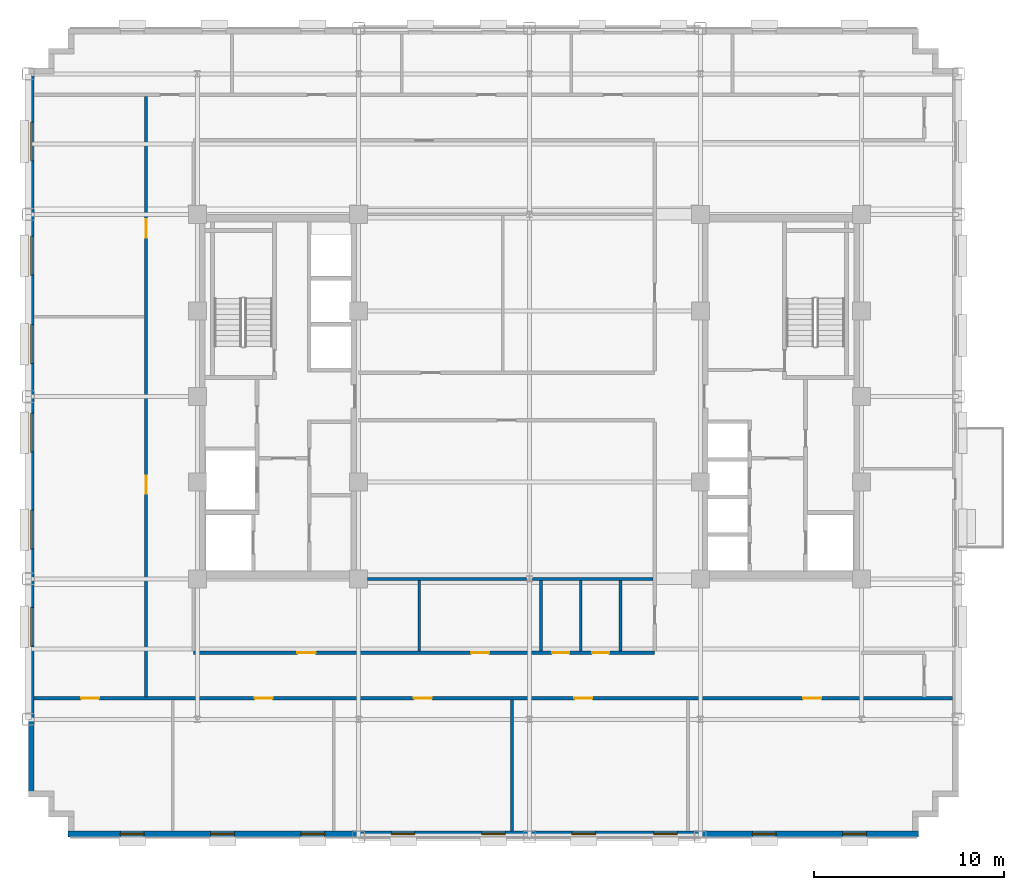
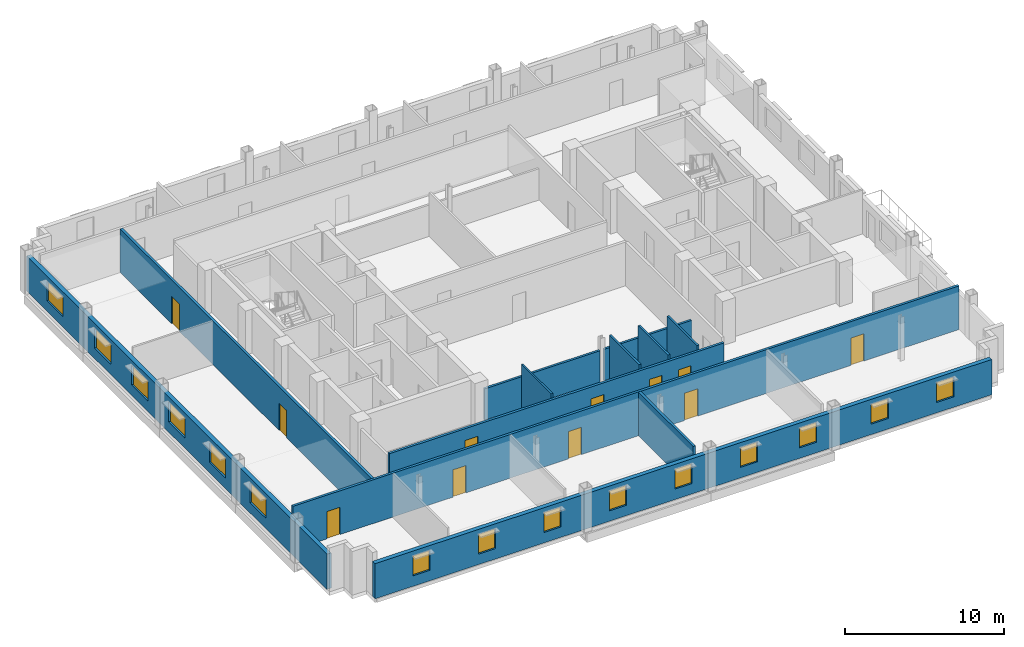
# One storey, part 7 of 14: 15 windows, 12 walls, 11 doors, 26 openings.
"""IFC4 building model written with IfcOpenShell, lengths in metres."""

import ifcopenshell
import ifcopenshell.guid

model = None  # the IFC model being written
_history = None  # IfcOwnerHistory: only IFC2X3 demands one
_inside = {}  # id of a spatial element -> (the spatial element, [elements in it])
_under = {}  # id of a project, library or spatial element -> (it, [spatial elements below it])
_declared = {}  # id of a project -> (the project, [libraries it declares])
_typed = {}  # id of a type object -> (the type object, [elements of that type])
_made_of = {}  # id of a material, layer set ... -> (it, [elements and type objects made of it])


def new_model(schema):
    """Start an empty IFC model of exactly this schema.

    Asked for "IFC4X3", IfcOpenShell would pick the latest addendum, in which some entities
    have other attributes; the version numbers below select the first issue.
    IFC2X3 requires an IfcOwnerHistory on every rooted entity: one is made here for all.
    """
    global model, _history
    if schema == "IFC4X3":
        model = ifcopenshell.file(schema_version=(4, 3, 0, 0))
    else:
        model = ifcopenshell.file(schema=schema)
    _inside.clear()
    _under.clear()
    _declared.clear()
    _typed.clear()
    _made_of.clear()
    _history = None
    if model.schema == "IFC2X3":
        org = make("IfcOrganization", Name="unknown")
        user = make(
            "IfcPersonAndOrganization",
            ThePerson=make("IfcPerson", FamilyName="unknown"),
            TheOrganization=org,
        )
        app = make(
            "IfcApplication",
            ApplicationDeveloper=org,
            Version="unknown",
            ApplicationFullName="unknown",
            ApplicationIdentifier="unknown",
        )
        _history = make(
            "IfcOwnerHistory",
            OwningUser=user,
            OwningApplication=app,
            ChangeAction="ADDED",
            CreationDate=0,
        )
    return model


def make(cls, **values):
    """One entity of the class cls with the attributes given. An attribute that is None is left unset."""
    return model.create_entity(
        cls, **{name: value for name, value in values.items() if value is not None}
    )


def rooted(cls, **values):
    """An entity with a GlobalId (a new one), such as an element, a storey or a relation."""
    return make(cls, GlobalId=ifcopenshell.guid.new(), OwnerHistory=_history, **values)


def si_unit(unit_type, name, prefix=None):
    """IfcSIUnit, for example si_unit("LENGTHUNIT", "METRE", prefix="MILLI")."""
    return make("IfcSIUnit", UnitType=unit_type, Prefix=prefix, Name=name)


def assignment(units):
    """IfcUnitAssignment: the units of a project."""
    return None if units is None else make("IfcUnitAssignment", Units=units)


def point(xyz):
    """IfcCartesianPoint."""
    return None if xyz is None else make("IfcCartesianPoint", Coordinates=xyz)


def direction(xyz):
    """IfcDirection."""
    return None if xyz is None else make("IfcDirection", DirectionRatios=xyz)


def frame(location, z_axis=None, x_axis=None):
    """IfcAxis2Placement3D, a coordinate frame: its origin and axes. An axis left out is left unset."""
    return make(
        "IfcAxis2Placement3D",
        Location=point(location),
        Axis=direction(z_axis),
        RefDirection=direction(x_axis),
    )


def frame_2d(location, x_axis=None):
    """IfcAxis2Placement2D, a coordinate frame in the plane: its origin and x axis."""
    return make(
        "IfcAxis2Placement2D", Location=point(location), RefDirection=direction(x_axis)
    )


def origin():
    """The frame at (0, 0, 0) with its axes left unset."""
    return frame((0.0, 0.0, 0.0))


def place(relative_to, where):
    """IfcLocalPlacement: puts the frame where relative to a parent placement (None: the world)."""
    return make(
        "IfcLocalPlacement", PlacementRelTo=relative_to, RelativePlacement=where
    )


def context(
    kind, dimensions, precision=None, world=None, true_north=None, identifier=None
):
    """IfcGeometricRepresentationContext, for example the 3D "Model" context."""
    return make(
        "IfcGeometricRepresentationContext",
        ContextIdentifier=identifier,
        ContextType=kind,
        CoordinateSpaceDimension=dimensions,
        Precision=precision,
        WorldCoordinateSystem=world,
        TrueNorth=true_north,
    )


def subcontext(parent, identifier, kind, view, scale=None):
    """IfcGeometricRepresentationSubContext, for example "Body" below "Model"."""
    return make(
        "IfcGeometricRepresentationSubContext",
        ContextIdentifier=identifier,
        ContextType=kind,
        ParentContext=parent,
        TargetScale=scale,
        TargetView=view,
    )


def project(units=None, contexts=None):
    """IfcProject with its units and contexts."""
    return rooted(
        "IfcProject",
        Name="project",
        RepresentationContexts=contexts,
        UnitsInContext=assignment(units),
    )


def spatial(cls, under=None, at=None, **own):
    """A site, building, storey or space (cls), placed at a placement, below another one or the project."""
    s = rooted(cls, ObjectPlacement=at, **own)
    if under is not None:
        _under.setdefault(under.id(), (under, []))[1].append(s)
    return s


def profile(cls, at=None, kind="AREA", **sizes):
    """A parametric profile (cls). Its sizes go by their IFC names, for example OverallWidth=200.0."""
    return make(cls, ProfileType=kind, Position=at, **sizes)


def rectangle(**sizes):
    """IfcRectangleProfileDef."""
    return profile("IfcRectangleProfileDef", **sizes)


def extrude(swept, where, along, depth):
    """IfcExtrudedAreaSolid: the profile swept, set in the frame where, extruded along a direction by depth."""
    return make(
        "IfcExtrudedAreaSolid",
        SweptArea=swept,
        Position=where,
        ExtrudedDirection=direction(along),
        Depth=depth,
    )


def shape(context_of_items, identifier, shape_type, items):
    """IfcShapeRepresentation: the items that make up one representation, for example the "Body"."""
    return make(
        "IfcShapeRepresentation",
        ContextOfItems=context_of_items,
        RepresentationIdentifier=identifier,
        RepresentationType=shape_type,
        Items=items,
    )


def source(mapping_origin, context_of_items, identifier, shape_type, items):
    """IfcRepresentationMap: a shape defined once, which mapped items show again and again."""
    return make(
        "IfcRepresentationMap",
        MappingOrigin=mapping_origin,
        MappedRepresentation=shape(context_of_items, identifier, shape_type, items),
    )


def transform(
    local_origin,
    x_axis=None,
    y_axis=None,
    z_axis=None,
    scale=None,
    scale2=None,
    scale3=None,
    uniform=True,
):
    """IfcCartesianTransformationOperator3D, or its non-uniform kind. x_axis, y_axis, z_axis: its Axis1, 2, 3."""
    if uniform:
        return make(
            "IfcCartesianTransformationOperator3D",
            Axis1=direction(x_axis),
            Axis2=direction(y_axis),
            LocalOrigin=point(local_origin),
            Scale=scale,
            Axis3=direction(z_axis),
        )
    return make(
        "IfcCartesianTransformationOperator3DnonUniform",
        Axis1=direction(x_axis),
        Axis2=direction(y_axis),
        LocalOrigin=point(local_origin),
        Scale=scale,
        Axis3=direction(z_axis),
        Scale2=scale2,
        Scale3=scale3,
    )


def mapped(mapping_source, mapping_target):
    """IfcMappedItem: shows the shape of a source again, moved by a transform."""
    return make(
        "IfcMappedItem", MappingSource=mapping_source, MappingTarget=mapping_target
    )


def material(Name=None, Category=None):
    """IfcMaterial."""
    return make("IfcMaterial", Name=Name, Category=Category)


def layer(
    of_material, thickness, ventilated=None, Name=None, Category=None, Priority=None
):
    """IfcMaterialLayer: one layer of a wall or slab, of a material (None: an air gap)."""
    return make(
        "IfcMaterialLayer",
        Material=of_material,
        LayerThickness=thickness,
        IsVentilated=ventilated,
        Name=Name,
        Category=Category,
        Priority=Priority,
    )


def layer_set(layers, Name=None):
    """IfcMaterialLayerSet."""
    return make("IfcMaterialLayerSet", MaterialLayers=layers, LayerSetName=Name)


def made_of(thing, what):
    """Note that an element or type object is made of a material, layer set ...; save() writes the relation."""
    if what is not None:
        _made_of.setdefault(what.id(), (what, []))[1].append(thing)
    return thing


def type_object(cls, material=None, **own):
    """A type object (cls), such as IfcWallType, which elements share."""
    return made_of(rooted(cls, **own), material)


def type_shapes(of_type, sources):
    """Give a type object the sources (RepresentationMaps) that its elements show as mapped items."""
    of_type.RepresentationMaps = sources


def element(
    cls,
    number,
    at=None,
    inside=None,
    cuts=None,
    type_object=None,
    material=None,
    context=None,
    identifier="Body",
    shape_type=None,
    held_by="IfcProductDefinitionShape",
    body=None,
    shapes=None,
    **own,
):
    """One element of the class cls, such as IfcWall. Its Tag is "e" and its number.

    at: its placement. inside: the storey or other place that contains it. cuts: it is an
    opening in that element (IfcRelVoidsElement). A single representation is given by context,
    identifier, shape_type and body (its items); several are given by shapes. held_by: the class
    of the entity that holds the representations. save() writes the other relations.
    """
    e = rooted(cls, Tag="e%d" % number, ObjectPlacement=at, **own)
    if body is not None:
        shapes = [shape(context, identifier, shape_type, body)]
    if shapes is not None:
        e.Representation = make(held_by, Representations=shapes)
    if inside is not None:
        _inside.setdefault(inside.id(), (inside, []))[1].append(e)
    if cuts is not None:
        rooted(
            "IfcRelVoidsElement", RelatingBuildingElement=cuts, RelatedOpeningElement=e
        )
    if type_object is not None:
        _typed.setdefault(type_object.id(), (type_object, []))[1].append(e)
    return made_of(e, material)


def fill(opening, filler):
    """IfcRelFillsElement: the door or window that sits in an opening."""
    return rooted(
        "IfcRelFillsElement",
        RelatingOpeningElement=opening,
        RelatedBuildingElement=filler,
    )


def aggregate(whole, parts):
    """IfcRelAggregates: a whole, such as a stair, and the parts it consists of."""
    return rooted("IfcRelAggregates", RelatingObject=whole, RelatedObjects=parts)


def save(model, path):
    """Write the relations noted so far, then the file.

    IfcRelAggregates (storeys below a building ...), IfcRelContainedInSpatialStructure (elements
    in a storey), IfcRelDefinesByType, IfcRelAssociatesMaterial and IfcRelDeclares: one each for
    every whole, place, type object, material and project.
    """
    for whole, parts in _under.values():
        aggregate(whole, parts)
    for where, things in _inside.values():
        rooted(
            "IfcRelContainedInSpatialStructure",
            RelatedElements=things,
            RelatingStructure=where,
        )
    for kind, things in _typed.values():
        rooted("IfcRelDefinesByType", RelatedObjects=things, RelatingType=kind)
    for what, things in _made_of.values():
        rooted("IfcRelAssociatesMaterial", RelatedObjects=things, RelatingMaterial=what)
    for by, libraries in _declared.values():
        rooted("IfcRelDeclares", RelatingContext=by, RelatedDefinitions=libraries)
    model.write(path)


model = new_model("IFC4")

# Units and contexts
model_context = context("Model", 3, precision=1e-05, world=origin(), true_north=direction((0.0, 1.0)))
body_context = subcontext(model_context, "Body", "Model", "MODEL_VIEW")
ifc_project = project(units=[si_unit("LENGTHUNIT", "METRE"), si_unit("AREAUNIT", "SQUARE_METRE"), si_unit("VOLUMEUNIT", "CUBIC_METRE"), si_unit("PLANEANGLEUNIT", "RADIAN"), si_unit("MASSUNIT", "GRAM", prefix="KILO")], contexts=[model_context])

# Site, building, storey
site_placement = place(None, origin())
site = spatial("IfcSite", under=ifc_project, at=site_placement, CompositionType="ELEMENT")
building_placement = place(site_placement, origin())
building = spatial("IfcBuilding", under=site, at=building_placement, Name="Nuvemarco Arch Tower", CompositionType="ELEMENT")
storey_placement = place(building_placement, frame((0.0, 0.0, 178.60009765625)))
storey = spatial("IfcBuildingStorey", under=building, at=storey_placement, Name="L47", CompositionType="ELEMENT", Elevation=178.60009765625)

# Wall, openings, windows
ifc_material_1 = material(Name="Precast concrete C45/55", Category="concrete")
ifc_layer_1 = layer(ifc_material_1, 0.31005859375, Name="EW-UPP-310")
ifc_layer_set_1 = layer_set([ifc_layer_1], Name="Precast concrete C45/55")
wall_type_1 = type_object("IfcWallType", Name="EW-UPP-310", PredefinedType="STANDARD", material=ifc_layer_set_1)
wall_1_placement = place(storey_placement, frame((-24.300048828125, -23.044921875, 0.0), z_axis=(0.0, 0.0, 1.0), x_axis=(1.0, 0.0, 0.0)))
wall_1 = element("IfcWall", 1, at=wall_1_placement, inside=storey, type_object=wall_type_1, Name="L47 exterior precast facade wall 1", PredefinedType="STANDARD", context=body_context, shape_type="SweptSolid", body=[
    extrude(rectangle(XDim=44.800048828125, YDim=0.31005859375, at=frame_2d((22.39990234375, 0.0))), origin(), (0.0, 0.0, 1.0), 2.704833984375),
])
opening_1_placement = place(wall_1_placement, frame((2.752685546875, 0.0, 0.800048828125)))
opening_1 = element("IfcOpeningElement", 2, at=opening_1_placement, cuts=wall_1, Name="Opening WN-13", PredefinedType="OPENING", context=body_context, shape_type="SweptSolid", body=[
    extrude(rectangle(XDim=1.25, YDim=1.52001953125, at=frame_2d((0.625, 0.760009765625))), frame((0.0, 0.1650390625, 0.0), z_axis=(0.0, -1.0, 0.0), x_axis=(1.0, 0.0, 0.0)), (0.0, 0.0, 1.0), 0.330078125),
])
opening_2_placement = place(wall_1_placement, frame((7.50830078125, 0.0, 0.800048828125)))
opening_2 = element("IfcOpeningElement", 3, at=opening_2_placement, cuts=wall_1, Name="Opening WN-13", PredefinedType="OPENING", context=body_context, shape_type="SweptSolid", body=[
    extrude(rectangle(XDim=1.25, YDim=1.52001953125, at=frame_2d((0.625, 0.760009765625))), frame((0.0, 0.1650390625, 0.0), z_axis=(0.0, -1.0, 0.0), x_axis=(1.0, 0.0, 0.0)), (0.0, 0.0, 1.0), 0.330078125),
])
opening_3_placement = place(wall_1_placement, frame((12.263916015625, 0.0, 0.800048828125)))
opening_3 = element("IfcOpeningElement", 4, at=opening_3_placement, cuts=wall_1, Name="Opening WN-13", PredefinedType="OPENING", context=body_context, shape_type="SweptSolid", body=[
    extrude(rectangle(XDim=1.25, YDim=1.52001953125, at=frame_2d((0.625, 0.760009765625))), frame((0.0, 0.1650390625, 0.0), z_axis=(0.0, -1.0, 0.0), x_axis=(1.0, 0.0, 0.0)), (0.0, 0.0, 1.0), 0.330078125),
])
opening_4_placement = place(wall_1_placement, frame((17.019287109375, 0.0, 0.800048828125)))
opening_4 = element("IfcOpeningElement", 5, at=opening_4_placement, cuts=wall_1, Name="Opening WN-13", PredefinedType="OPENING", context=body_context, shape_type="SweptSolid", body=[
    extrude(rectangle(XDim=1.25, YDim=1.52001953125, at=frame_2d((0.625, 0.760009765625))), frame((0.0, 0.1650390625, 0.0), z_axis=(0.0, -1.0, 0.0), x_axis=(1.0, 0.0, 0.0)), (0.0, 0.0, 1.0), 0.330078125),
])
opening_5_placement = place(wall_1_placement, frame((21.77490234375, 0.0, 0.800048828125)))
opening_5 = element("IfcOpeningElement", 6, at=opening_5_placement, cuts=wall_1, Name="Opening WN-13", PredefinedType="OPENING", context=body_context, shape_type="SweptSolid", body=[
    extrude(rectangle(XDim=1.25, YDim=1.52001953125, at=frame_2d((0.625, 0.760009765625))), frame((0.0, 0.1650390625, 0.0), z_axis=(0.0, -1.0, 0.0), x_axis=(1.0, 0.0, 0.0)), (0.0, 0.0, 1.0), 0.330078125),
])
opening_6_placement = place(wall_1_placement, frame((26.530517578125, 0.0, 0.800048828125)))
opening_6 = element("IfcOpeningElement", 7, at=opening_6_placement, cuts=wall_1, Name="Opening WN-13", PredefinedType="OPENING", context=body_context, shape_type="SweptSolid", body=[
    extrude(rectangle(XDim=1.25, YDim=1.52001953125, at=frame_2d((0.625, 0.760009765625))), frame((0.0, 0.1650390625, 0.0), z_axis=(0.0, -1.0, 0.0), x_axis=(1.0, 0.0, 0.0)), (0.0, 0.0, 1.0), 0.330078125),
])
opening_7_placement = place(wall_1_placement, frame((30.836181640625, 0.0, 0.800048828125)))
opening_7 = element("IfcOpeningElement", 8, at=opening_7_placement, cuts=wall_1, Name="Opening WN-13", PredefinedType="OPENING", context=body_context, shape_type="SweptSolid", body=[
    extrude(rectangle(XDim=1.25, YDim=1.52001953125, at=frame_2d((0.625, 0.760009765625))), frame((0.0, 0.1650390625, 0.0), z_axis=(0.0, -1.0, 0.0), x_axis=(1.0, 0.0, 0.0)), (0.0, 0.0, 1.0), 0.330078125),
])
opening_8_placement = place(wall_1_placement, frame((36.041748046875, 0.0, 0.800048828125)))
opening_8 = element("IfcOpeningElement", 9, at=opening_8_placement, cuts=wall_1, Name="Opening WN-13", PredefinedType="OPENING", context=body_context, shape_type="SweptSolid", body=[
    extrude(rectangle(XDim=1.25, YDim=1.52001953125, at=frame_2d((0.625, 0.760009765625))), frame((0.0, 0.1650390625, 0.0), z_axis=(0.0, -1.0, 0.0), x_axis=(1.0, 0.0, 0.0)), (0.0, 0.0, 1.0), 0.330078125),
])
opening_9_placement = place(wall_1_placement, frame((40.797119140625, 0.0, 0.800048828125)))
opening_9 = element("IfcOpeningElement", 10, at=opening_9_placement, cuts=wall_1, Name="Opening WN-13", PredefinedType="OPENING", context=body_context, shape_type="SweptSolid", body=[
    extrude(rectangle(XDim=1.25, YDim=1.52001953125, at=frame_2d((0.625, 0.760009765625))), frame((0.0, 0.1650390625, 0.0), z_axis=(0.0, -1.0, 0.0), x_axis=(1.0, 0.0, 0.0)), (0.0, 0.0, 1.0), 0.330078125),
])
ifc_material_2 = material(Name="Insulated solar-control glass", Category="glass")
window_type_1 = type_object("IfcWindowType", Name="WN-SET-1250x1520", PartitioningType="SINGLE_PANEL", PredefinedType="WINDOW", material=ifc_material_2)
shared_shape_1 = source(origin(), body_context, "Body", "SweptSolid", [
    extrude(rectangle(XDim=1.25, YDim=1.52001953125, at=frame_2d((0.625, 0.760009765625))), frame((0.0, 0.030029296875, 0.0), z_axis=(0.0, -1.0, 0.0), x_axis=(1.0, 0.0, 0.0)), (0.0, 0.0, 1.0), 0.06005859375),
])
type_shapes(window_type_1, [shared_shape_1])
window_1_placement = place(opening_1_placement, origin())
window_1 = element("IfcWindow", 11, at=window_1_placement, inside=storey, type_object=window_type_1, Name="L47 punched facade window 1", OverallHeight=1.52001953125, OverallWidth=1.25, PartitioningType="SINGLE_PANEL", PredefinedType="WINDOW", context=body_context, shape_type="MappedRepresentation", body=[
    mapped(shared_shape_1, transform((0.0, 0.0, 0.0), scale=1.0)),
])
fill(opening_1, window_1)
window_2_placement = place(opening_2_placement, origin())
window_2 = element("IfcWindow", 12, at=window_2_placement, inside=storey, type_object=window_type_1, Name="L47 punched facade window 2", OverallHeight=1.52001953125, OverallWidth=1.25, PartitioningType="SINGLE_PANEL", PredefinedType="WINDOW", context=body_context, shape_type="MappedRepresentation", body=[
    mapped(shared_shape_1, transform((0.0, 0.0, 0.0), scale=1.0)),
])
fill(opening_2, window_2)
window_3_placement = place(opening_3_placement, origin())
window_3 = element("IfcWindow", 13, at=window_3_placement, inside=storey, type_object=window_type_1, Name="L47 punched facade window 3", OverallHeight=1.52001953125, OverallWidth=1.25, PartitioningType="SINGLE_PANEL", PredefinedType="WINDOW", context=body_context, shape_type="MappedRepresentation", body=[
    mapped(shared_shape_1, transform((0.0, 0.0, 0.0), scale=1.0)),
])
fill(opening_3, window_3)
window_4_placement = place(opening_4_placement, origin())
window_4 = element("IfcWindow", 14, at=window_4_placement, inside=storey, type_object=window_type_1, Name="L47 punched facade window 4", OverallHeight=1.52001953125, OverallWidth=1.25, PartitioningType="SINGLE_PANEL", PredefinedType="WINDOW", context=body_context, shape_type="MappedRepresentation", body=[
    mapped(shared_shape_1, transform((0.0, 0.0, 0.0), scale=1.0)),
])
fill(opening_4, window_4)
window_5_placement = place(opening_5_placement, origin())
window_5 = element("IfcWindow", 15, at=window_5_placement, inside=storey, type_object=window_type_1, Name="L47 punched facade window 5", OverallHeight=1.52001953125, OverallWidth=1.25, PartitioningType="SINGLE_PANEL", PredefinedType="WINDOW", context=body_context, shape_type="MappedRepresentation", body=[
    mapped(shared_shape_1, transform((0.0, 0.0, 0.0), scale=1.0)),
])
fill(opening_5, window_5)
window_6_placement = place(opening_6_placement, origin())
window_6 = element("IfcWindow", 16, at=window_6_placement, inside=storey, type_object=window_type_1, Name="L47 punched facade window 6", OverallHeight=1.52001953125, OverallWidth=1.25, PartitioningType="SINGLE_PANEL", PredefinedType="WINDOW", context=body_context, shape_type="MappedRepresentation", body=[
    mapped(shared_shape_1, transform((0.0, 0.0, 0.0), scale=1.0)),
])
fill(opening_6, window_6)
window_7_placement = place(opening_7_placement, origin())
window_7 = element("IfcWindow", 17, at=window_7_placement, inside=storey, type_object=window_type_1, Name="L47 punched facade window 7", OverallHeight=1.52001953125, OverallWidth=1.25, PartitioningType="SINGLE_PANEL", PredefinedType="WINDOW", context=body_context, shape_type="MappedRepresentation", body=[
    mapped(shared_shape_1, transform((0.0, 0.0, 0.0), scale=1.0)),
])
fill(opening_7, window_7)
window_8_placement = place(opening_8_placement, origin())
window_8 = element("IfcWindow", 18, at=window_8_placement, inside=storey, type_object=window_type_1, Name="L47 punched facade window 8", OverallHeight=1.52001953125, OverallWidth=1.25, PartitioningType="SINGLE_PANEL", PredefinedType="WINDOW", context=body_context, shape_type="MappedRepresentation", body=[
    mapped(shared_shape_1, transform((0.0, 0.0, 0.0), scale=1.0)),
])
fill(opening_8, window_8)
window_9_placement = place(opening_9_placement, origin())
window_9 = element("IfcWindow", 19, at=window_9_placement, inside=storey, type_object=window_type_1, Name="L47 punched facade window 9", OverallHeight=1.52001953125, OverallWidth=1.25, PartitioningType="SINGLE_PANEL", PredefinedType="WINDOW", context=body_context, shape_type="MappedRepresentation", body=[
    mapped(shared_shape_1, transform((0.0, 0.0, 0.0), scale=1.0)),
])
fill(opening_9, window_9)

wall_2_placement = place(storey_placement, frame((-26.2451171875, -20.7939453125, 0.0), z_axis=(0.0, 0.0, 1.0), x_axis=(0.0, 1.0, 0.0)))
wall_2 = element("IfcWall", 20, at=wall_2_placement, inside=storey, type_object=wall_type_1, Name="L47 exterior precast facade wall 16", PredefinedType="STANDARD", context=body_context, shape_type="SweptSolid", body=[
    extrude(rectangle(XDim=37.787841796875, YDim=0.31005859375, at=frame_2d((18.89404296875, 0.0))), origin(), (0.0, 0.0, 1.0), 2.704833984375),
])
opening_10_placement = place(wall_2_placement, frame((7.643798828125, 0.0, 0.800048828125)))
opening_10 = element("IfcOpeningElement", 21, at=opening_10_placement, cuts=wall_2, Name="Opening WN-12", PredefinedType="OPENING", context=body_context, shape_type="SweptSolid", body=[
    extrude(rectangle(XDim=2.050048828125, YDim=1.52001953125, at=frame_2d((1.02490234375, 0.760009765625))), frame((0.0, 0.1650390625, 0.0), z_axis=(0.0, -1.0, 0.0), x_axis=(1.0, 0.0, 0.0)), (0.0, 0.0, 1.0), 0.330078125),
])
opening_11_placement = place(wall_2_placement, frame((12.75634765625, 0.0, 0.800048828125)))
opening_11 = element("IfcOpeningElement", 22, at=opening_11_placement, cuts=wall_2, Name="Opening WN-12", PredefinedType="OPENING", context=body_context, shape_type="SweptSolid", body=[
    extrude(rectangle(XDim=2.050048828125, YDim=1.52001953125, at=frame_2d((1.02490234375, 0.760009765625))), frame((0.0, 0.1650390625, 0.0), z_axis=(0.0, -1.0, 0.0), x_axis=(1.0, 0.0, 0.0)), (0.0, 0.0, 1.0), 0.330078125),
])
opening_12_placement = place(wall_2_placement, frame((17.868896484375, 0.0, 0.800048828125)))
opening_12 = element("IfcOpeningElement", 23, at=opening_12_placement, cuts=wall_2, Name="Opening WN-12", PredefinedType="OPENING", context=body_context, shape_type="SweptSolid", body=[
    extrude(rectangle(XDim=2.050048828125, YDim=1.52001953125, at=frame_2d((1.02490234375, 0.760009765625))), frame((0.0, 0.1650390625, 0.0), z_axis=(0.0, -1.0, 0.0), x_axis=(1.0, 0.0, 0.0)), (0.0, 0.0, 1.0), 0.330078125),
])
opening_13_placement = place(wall_2_placement, frame((22.531494140625, 0.0, 0.800048828125)))
opening_13 = element("IfcOpeningElement", 24, at=opening_13_placement, cuts=wall_2, Name="Opening WN-12", PredefinedType="OPENING", context=body_context, shape_type="SweptSolid", body=[
    extrude(rectangle(XDim=2.050048828125, YDim=1.52001953125, at=frame_2d((1.02490234375, 0.760009765625))), frame((0.0, 0.1650390625, 0.0), z_axis=(0.0, -1.0, 0.0), x_axis=(1.0, 0.0, 0.0)), (0.0, 0.0, 1.0), 0.330078125),
])
opening_14_placement = place(wall_2_placement, frame((27.194091796875, 0.0, 0.800048828125)))
opening_14 = element("IfcOpeningElement", 25, at=opening_14_placement, cuts=wall_2, Name="Opening WN-12", PredefinedType="OPENING", context=body_context, shape_type="SweptSolid", body=[
    extrude(rectangle(XDim=2.050048828125, YDim=1.52001953125, at=frame_2d((1.02490234375, 0.760009765625))), frame((0.0, 0.1650390625, 0.0), z_axis=(0.0, -1.0, 0.0), x_axis=(1.0, 0.0, 0.0)), (0.0, 0.0, 1.0), 0.330078125),
])
opening_15_placement = place(wall_2_placement, frame((33.206787109375, 0.0, 0.800048828125)))
opening_15 = element("IfcOpeningElement", 26, at=opening_15_placement, cuts=wall_2, Name="Opening WN-12", PredefinedType="OPENING", context=body_context, shape_type="SweptSolid", body=[
    extrude(rectangle(XDim=2.050048828125, YDim=1.52001953125, at=frame_2d((1.02490234375, 0.760009765625))), frame((0.0, 0.1650390625, 0.0), z_axis=(0.0, -1.0, 0.0), x_axis=(1.0, 0.0, 0.0)), (0.0, 0.0, 1.0), 0.330078125),
])
window_type_2 = type_object("IfcWindowType", Name="WN-SET-2050x1520", PartitioningType="DOUBLE_PANEL_VERTICAL", PredefinedType="WINDOW", material=ifc_material_2)
shared_shape_2 = source(origin(), body_context, "Body", "SweptSolid", [
    extrude(rectangle(XDim=2.050048828125, YDim=1.52001953125, at=frame_2d((1.02490234375, 0.760009765625))), frame((0.0, 0.030029296875, 0.0), z_axis=(0.0, -1.0, 0.0), x_axis=(1.0, 0.0, 0.0)), (0.0, 0.0, 1.0), 0.06005859375),
])
type_shapes(window_type_2, [shared_shape_2])
window_10_placement = place(opening_10_placement, origin())
window_10 = element("IfcWindow", 27, at=window_10_placement, inside=storey, type_object=window_type_2, Name="L47 punched facade window 2", OverallHeight=1.52001953125, OverallWidth=2.050048828125, PartitioningType="SINGLE_PANEL", PredefinedType="WINDOW", context=body_context, shape_type="MappedRepresentation", body=[
    mapped(shared_shape_2, transform((0.0, 0.0, 0.0), scale=1.0)),
])
fill(opening_10, window_10)
window_11_placement = place(opening_11_placement, origin())
window_11 = element("IfcWindow", 28, at=window_11_placement, inside=storey, type_object=window_type_2, Name="L47 punched facade window 3", OverallHeight=1.52001953125, OverallWidth=2.050048828125, PartitioningType="SINGLE_PANEL", PredefinedType="WINDOW", context=body_context, shape_type="MappedRepresentation", body=[
    mapped(shared_shape_2, transform((0.0, 0.0, 0.0), scale=1.0)),
])
fill(opening_11, window_11)
window_12_placement = place(opening_12_placement, origin())
window_12 = element("IfcWindow", 29, at=window_12_placement, inside=storey, type_object=window_type_2, Name="L47 punched facade window 4", OverallHeight=1.52001953125, OverallWidth=2.050048828125, PartitioningType="SINGLE_PANEL", PredefinedType="WINDOW", context=body_context, shape_type="MappedRepresentation", body=[
    mapped(shared_shape_2, transform((0.0, 0.0, 0.0), scale=1.0)),
])
fill(opening_12, window_12)
window_13_placement = place(opening_13_placement, origin())
window_13 = element("IfcWindow", 30, at=window_13_placement, inside=storey, type_object=window_type_2, Name="L47 punched facade window 5", OverallHeight=1.52001953125, OverallWidth=2.050048828125, PartitioningType="SINGLE_PANEL", PredefinedType="WINDOW", context=body_context, shape_type="MappedRepresentation", body=[
    mapped(shared_shape_2, transform((0.0, 0.0, 0.0), scale=1.0)),
])
fill(opening_13, window_13)
window_14_placement = place(opening_14_placement, origin())
window_14 = element("IfcWindow", 31, at=window_14_placement, inside=storey, type_object=window_type_2, Name="L47 punched facade window 6", OverallHeight=1.52001953125, OverallWidth=2.050048828125, PartitioningType="SINGLE_PANEL", PredefinedType="WINDOW", context=body_context, shape_type="MappedRepresentation", body=[
    mapped(shared_shape_2, transform((0.0, 0.0, 0.0), scale=1.0)),
])
fill(opening_14, window_14)
window_15_placement = place(opening_15_placement, origin())
window_15 = element("IfcWindow", 32, at=window_15_placement, inside=storey, type_object=window_type_2, Name="L47 punched facade window 7", OverallHeight=1.52001953125, OverallWidth=2.050048828125, PartitioningType="SINGLE_PANEL", PredefinedType="WINDOW", context=body_context, shape_type="MappedRepresentation", body=[
    mapped(shared_shape_2, transform((0.0, 0.0, 0.0), scale=1.0)),
])
fill(opening_15, window_15)

# Wall, openings, doors
ifc_material_3 = material(Name="Fire-rated gypsum drywall partition")
ifc_layer_2 = layer(ifc_material_3, 0.179931640625, Name="WL-CORR-180")
ifc_layer_set_2 = layer_set([ifc_layer_2], Name="Fire-rated gypsum drywall partition")
wall_type_2 = type_object("IfcWallType", Name="WL-CORR-180", PredefinedType="PARTITIONING", material=ifc_layer_set_2)
wall_3_placement = place(storey_placement, frame((-26.090087890625, -15.89990234375, 0.0), z_axis=(0.0, 0.0, 1.0), x_axis=(1.0, 0.0, 0.0)))
wall_3 = element("IfcWall", 33, at=wall_3_placement, inside=storey, type_object=wall_type_2, Name="L47 interior wall IW-L47-001", PredefinedType="PARTITIONING", context=body_context, shape_type="SweptSolid", body=[
    extrude(rectangle(XDim=48.380126953125, YDim=0.179931640625, at=frame_2d((24.18994140625, 0.0))), origin(), (0.0, 0.0, 1.0), 3.35986328125),
])
opening_16_placement = place(wall_3_placement, frame((40.510009765625, 0.0, 0.0)))
opening_16 = element("IfcOpeningElement", 34, at=opening_16_placement, cuts=wall_3, Name="Opening FD-5", PredefinedType="OPENING", context=body_context, shape_type="SweptSolid", body=[
    extrude(rectangle(XDim=0.9599609375, YDim=2.10009765625, at=frame_2d((0.47998046875, 1.050048828125))), frame((0.0, 0.099853515625, 0.0), z_axis=(0.0, -1.0, 0.0), x_axis=(1.0, 0.0, 0.0)), (0.0, 0.0, 1.0), 0.199951171875),
])
opening_17_placement = place(wall_3_placement, frame((19.9951171875, 0.0, 0.0)))
opening_17 = element("IfcOpeningElement", 35, at=opening_17_placement, cuts=wall_3, Name="Opening FD-5", PredefinedType="OPENING", context=body_context, shape_type="SweptSolid", body=[
    extrude(rectangle(XDim=0.9599609375, YDim=2.10009765625, at=frame_2d((0.47998046875, 1.050048828125))), frame((0.0, 0.099853515625, 0.0), z_axis=(0.0, -1.0, 0.0), x_axis=(1.0, 0.0, 0.0)), (0.0, 0.0, 1.0), 0.199951171875),
])
opening_18_placement = place(wall_3_placement, frame((28.449951171875, 0.0, 0.0)))
opening_18 = element("IfcOpeningElement", 36, at=opening_18_placement, cuts=wall_3, Name="Opening FD-5", PredefinedType="OPENING", context=body_context, shape_type="SweptSolid", body=[
    extrude(rectangle(XDim=0.9599609375, YDim=2.10009765625, at=frame_2d((0.47998046875, 1.050048828125))), frame((0.0, 0.099853515625, 0.0), z_axis=(0.0, -1.0, 0.0), x_axis=(1.0, 0.0, 0.0)), (0.0, 0.0, 1.0), 0.199951171875),
])
opening_19_placement = place(wall_3_placement, frame((11.60498046875, 0.0, 0.0)))
opening_19 = element("IfcOpeningElement", 37, at=opening_19_placement, cuts=wall_3, Name="Opening FD-5", PredefinedType="OPENING", context=body_context, shape_type="SweptSolid", body=[
    extrude(rectangle(XDim=0.9599609375, YDim=2.10009765625, at=frame_2d((0.47998046875, 1.050048828125))), frame((0.0, 0.099853515625, 0.0), z_axis=(0.0, -1.0, 0.0), x_axis=(1.0, 0.0, 0.0)), (0.0, 0.0, 1.0), 0.199951171875),
])
opening_20_placement = place(wall_3_placement, frame((2.465087890625, 0.0, 0.0)))
opening_20 = element("IfcOpeningElement", 38, at=opening_20_placement, cuts=wall_3, Name="Opening FD-5", PredefinedType="OPENING", context=body_context, shape_type="SweptSolid", body=[
    extrude(rectangle(XDim=0.9599609375, YDim=2.10009765625, at=frame_2d((0.47998046875, 1.050048828125))), frame((0.0, 0.099853515625, 0.0), z_axis=(0.0, -1.0, 0.0), x_axis=(1.0, 0.0, 0.0)), (0.0, 0.0, 1.0), 0.199951171875),
])
ifc_material_4 = material(Name="Timber fire door", Category="wood")
door_type_1 = type_object("IfcDoorType", Name="DR-CORR-FD", OperationType="NOTDEFINED", PredefinedType="DOOR", material=ifc_material_4)
shared_shape_3 = source(origin(), body_context, "Body", "SweptSolid", [
    extrude(rectangle(XDim=0.9599609375, YDim=2.10009765625, at=frame_2d((0.47998046875, 1.050048828125))), frame((0.0, 0.02490234375, 0.0), z_axis=(0.0, -1.0, 0.0), x_axis=(1.0, 0.0, 0.0)), (0.0, 0.0, 1.0), 0.050048828125),
])
type_shapes(door_type_1, [shared_shape_3])
door_1_placement = place(opening_16_placement, origin())
door_1 = element("IfcDoor", 39, at=door_1_placement, inside=storey, type_object=door_type_1, Name="L47 door DR-L47-S_5", OperationType="SINGLE_SWING_RIGHT", OverallHeight=2.10009765625, OverallWidth=0.9599609375, PredefinedType="DOOR", context=body_context, shape_type="MappedRepresentation", body=[
    mapped(shared_shape_3, transform((0.0, 0.0, 0.0), scale=1.0)),
])
fill(opening_16, door_1)
door_2_placement = place(opening_17_placement, origin())
door_2 = element("IfcDoor", 40, at=door_2_placement, inside=storey, type_object=door_type_1, Name="L47 door DR-L47-S_3", OperationType="SINGLE_SWING_RIGHT", OverallHeight=2.10009765625, OverallWidth=0.9599609375, PredefinedType="DOOR", context=body_context, shape_type="MappedRepresentation", body=[
    mapped(shared_shape_3, transform((0.0, 0.0, 0.0), scale=1.0)),
])
fill(opening_17, door_2)
door_3_placement = place(opening_18_placement, origin())
door_3 = element("IfcDoor", 41, at=door_3_placement, inside=storey, type_object=door_type_1, Name="L47 door DR-L47-S_4", OperationType="SINGLE_SWING_RIGHT", OverallHeight=2.10009765625, OverallWidth=0.9599609375, PredefinedType="DOOR", context=body_context, shape_type="MappedRepresentation", body=[
    mapped(shared_shape_3, transform((0.0, 0.0, 0.0), scale=1.0)),
])
fill(opening_18, door_3)
door_4_placement = place(opening_19_placement, origin())
door_4 = element("IfcDoor", 42, at=door_4_placement, inside=storey, type_object=door_type_1, Name="L47 door DR-L47-S_2", OperationType="SINGLE_SWING_LEFT", OverallHeight=2.10009765625, OverallWidth=0.9599609375, PredefinedType="DOOR", context=body_context, shape_type="MappedRepresentation", body=[
    mapped(shared_shape_3, transform((0.0, 0.0, 0.0), scale=1.0)),
])
fill(opening_19, door_4)
door_5_placement = place(opening_20_placement, origin())
door_5 = element("IfcDoor", 43, at=door_5_placement, inside=storey, type_object=door_type_1, Name="L47 door DR-L47-S_1", OperationType="SINGLE_SWING_RIGHT", OverallHeight=2.10009765625, OverallWidth=0.9599609375, PredefinedType="DOOR", context=body_context, shape_type="MappedRepresentation", body=[
    mapped(shared_shape_3, transform((0.0, 0.0, 0.0), scale=1.0)),
])
fill(opening_20, door_5)

wall_4_placement = place(storey_placement, frame((-17.699951171875, -13.5, 0.0), z_axis=(0.0, 0.0, 1.0), x_axis=(1.0, 0.0, 0.0)))
wall_4 = element("IfcWall", 44, at=wall_4_placement, inside=storey, type_object=wall_type_2, Name="L47 interior wall IW-L47-002", PredefinedType="PARTITIONING", context=body_context, shape_type="SweptSolid", body=[
    extrude(rectangle(XDim=24.300048828125, YDim=0.179931640625, at=frame_2d((12.14990234375, 0.0))), origin(), (0.0, 0.0, 1.0), 3.0078125),
])
opening_21_placement = place(wall_4_placement, frame((5.469970703125, 0.0, 0.0)))
opening_21 = element("IfcOpeningElement", 45, at=opening_21_placement, cuts=wall_4, Name="Opening FD-5", PredefinedType="OPENING", context=body_context, shape_type="SweptSolid", body=[
    extrude(rectangle(XDim=0.9599609375, YDim=2.10009765625, at=frame_2d((0.47998046875, 1.050048828125))), frame((0.0, 0.099853515625, 0.0), z_axis=(0.0, -1.0, 0.0), x_axis=(1.0, 0.0, 0.0)), (0.0, 0.0, 1.0), 0.199951171875),
])
opening_22_placement = place(wall_4_placement, frame((14.6201171875, 0.0, 0.0)))
opening_22 = element("IfcOpeningElement", 46, at=opening_22_placement, cuts=wall_4, Name="Opening FD-5", PredefinedType="OPENING", context=body_context, shape_type="SweptSolid", body=[
    extrude(rectangle(XDim=0.9599609375, YDim=2.10009765625, at=frame_2d((0.47998046875, 1.050048828125))), frame((0.0, 0.099853515625, 0.0), z_axis=(0.0, -1.0, 0.0), x_axis=(1.0, 0.0, 0.0)), (0.0, 0.0, 1.0), 0.199951171875),
])
opening_23_placement = place(wall_4_placement, frame((18.89990234375, 0.0, 0.0)))
opening_23 = element("IfcOpeningElement", 47, at=opening_23_placement, cuts=wall_4, Name="Opening ID-3", PredefinedType="OPENING", context=body_context, shape_type="SweptSolid", body=[
    extrude(rectangle(XDim=0.89990234375, YDim=2.10009765625, at=frame_2d((0.449951171875, 1.050048828125))), frame((0.0, 0.099853515625, 0.0), z_axis=(0.0, -1.0, 0.0), x_axis=(1.0, 0.0, 0.0)), (0.0, 0.0, 1.0), 0.199951171875),
])
opening_24_placement = place(wall_4_placement, frame((21.0, 0.0, 0.0)))
opening_24 = element("IfcOpeningElement", 48, at=opening_24_placement, cuts=wall_4, Name="Opening ID-3", PredefinedType="OPENING", context=body_context, shape_type="SweptSolid", body=[
    extrude(rectangle(XDim=0.89990234375, YDim=2.10009765625, at=frame_2d((0.449951171875, 1.050048828125))), frame((0.0, 0.099853515625, 0.0), z_axis=(0.0, -1.0, 0.0), x_axis=(1.0, 0.0, 0.0)), (0.0, 0.0, 1.0), 0.199951171875),
])
door_6_placement = place(opening_21_placement, origin())
door_6 = element("IfcDoor", 49, at=door_6_placement, inside=storey, type_object=door_type_1, Name="L47 door DR-L47-IN_S1", OperationType="SINGLE_SWING_LEFT", OverallHeight=2.10009765625, OverallWidth=0.9599609375, PredefinedType="DOOR", context=body_context, shape_type="MappedRepresentation", body=[
    mapped(shared_shape_3, transform((0.0, 0.0, 0.0), scale=1.0)),
])
fill(opening_21, door_6)
door_7_placement = place(opening_22_placement, origin())
door_7 = element("IfcDoor", 50, at=door_7_placement, inside=storey, type_object=door_type_1, Name="L47 door DR-L47-IN_S2", OperationType="SINGLE_SWING_RIGHT", OverallHeight=2.10009765625, OverallWidth=0.9599609375, PredefinedType="DOOR", context=body_context, shape_type="MappedRepresentation", body=[
    mapped(shared_shape_3, transform((0.0, 0.0, 0.0), scale=1.0)),
])
fill(opening_22, door_7)
ifc_material_5 = material(Name="Veneered oak timber fire door", Category="wood")
door_type_2 = type_object("IfcDoorType", Name="DR-WC-ACC", OperationType="NOTDEFINED", PredefinedType="DOOR", material=ifc_material_5)
shared_shape_4 = source(origin(), body_context, "Body", "SweptSolid", [
    extrude(rectangle(XDim=0.89990234375, YDim=2.10009765625, at=frame_2d((0.449951171875, 1.050048828125))), frame((0.0, 0.02490234375, 0.0), z_axis=(0.0, -1.0, 0.0), x_axis=(1.0, 0.0, 0.0)), (0.0, 0.0, 1.0), 0.050048828125),
])
type_shapes(door_type_2, [shared_shape_4])
door_8_placement = place(opening_23_placement, origin())
door_8 = element("IfcDoor", 51, at=door_8_placement, inside=storey, type_object=door_type_2, Name="L47 door DR-L47-WC_M", OperationType="SINGLE_SWING_RIGHT", OverallHeight=2.10009765625, OverallWidth=0.89990234375, PredefinedType="DOOR", context=body_context, shape_type="MappedRepresentation", body=[
    mapped(shared_shape_4, transform((0.0, 0.0, 0.0), scale=1.0)),
])
fill(opening_23, door_8)
door_9_placement = place(opening_24_placement, origin())
door_9 = element("IfcDoor", 52, at=door_9_placement, inside=storey, type_object=door_type_2, Name="L47 door DR-L47-WC_F", OperationType="SINGLE_SWING_LEFT", OverallHeight=2.10009765625, OverallWidth=0.89990234375, PredefinedType="DOOR", context=body_context, shape_type="MappedRepresentation", body=[
    mapped(shared_shape_4, transform((0.0, 0.0, 0.0), scale=1.0)),
])
fill(opening_24, door_9)

wall_5_placement = place(storey_placement, frame((-20.199951171875, -15.81396484375, 0.0), z_axis=(0.0, 0.0, 1.0), x_axis=(0.0, 1.0, 0.0)))
wall_5 = element("IfcWall", 53, at=wall_5_placement, inside=storey, type_object=wall_type_2, Name="L47 interior wall IW-L47-015", PredefinedType="PARTITIONING", context=body_context, shape_type="SweptSolid", body=[
    extrude(rectangle(XDim=31.6279296875, YDim=0.179931640625, at=frame_2d((15.81396484375, 0.0))), origin(), (0.0, 0.0, 1.0), 3.35986328125),
])
opening_25_placement = place(wall_5_placement, frame((10.68408203125, 0.0, 0.0)))
opening_25 = element("IfcOpeningElement", 54, at=opening_25_placement, cuts=wall_5, Name="Opening FD-5", PredefinedType="OPENING", context=body_context, shape_type="SweptSolid", body=[
    extrude(rectangle(XDim=0.9599609375, YDim=2.10009765625, at=frame_2d((0.47998046875, 1.050048828125))), frame((0.0, 0.099853515625, 0.0), z_axis=(0.0, -1.0, 0.0), x_axis=(1.0, 0.0, 0.0)), (0.0, 0.0, 1.0), 0.199951171875),
])
opening_26_placement = place(wall_5_placement, frame((24.18408203125, 0.0, 0.0)))
opening_26 = element("IfcOpeningElement", 55, at=opening_26_placement, cuts=wall_5, Name="Opening FD-5", PredefinedType="OPENING", context=body_context, shape_type="SweptSolid", body=[
    extrude(rectangle(XDim=0.9599609375, YDim=2.10009765625, at=frame_2d((0.47998046875, 1.050048828125))), frame((0.0, 0.099853515625, 0.0), z_axis=(0.0, -1.0, 0.0), x_axis=(1.0, 0.0, 0.0)), (0.0, 0.0, 1.0), 0.199951171875),
])
door_10_placement = place(opening_25_placement, origin())
door_10 = element("IfcDoor", 56, at=door_10_placement, inside=storey, type_object=door_type_1, Name="L47 door DR-L47-W_1", OperationType="SINGLE_SWING_LEFT", OverallHeight=2.10009765625, OverallWidth=0.9599609375, PredefinedType="DOOR", context=body_context, shape_type="MappedRepresentation", body=[
    mapped(shared_shape_3, transform((0.0, 0.0, 0.0), scale=1.0)),
])
fill(opening_25, door_10)
door_11_placement = place(opening_26_placement, origin())
door_11 = element("IfcDoor", 57, at=door_11_placement, inside=storey, type_object=door_type_1, Name="L47 door DR-L47-W_2", OperationType="SINGLE_SWING_LEFT", OverallHeight=2.10009765625, OverallWidth=0.9599609375, PredefinedType="DOOR", context=body_context, shape_type="MappedRepresentation", body=[
    mapped(shared_shape_3, transform((0.0, 0.0, 0.0), scale=1.0)),
])
fill(opening_26, door_11)

# Walls
wall_6_placement = place(storey_placement, frame((-0.919921875, -22.889892578125, 0.0), z_axis=(0.0, 0.0, 1.0), x_axis=(0.0, 1.0, 0.0)))
element("IfcWall", 58, at=wall_6_placement, inside=storey, type_object=wall_type_2, Name="L47 interior wall IW-L47-024", PredefinedType="PARTITIONING", context=body_context, shape_type="SweptSolid", body=[
    extrude(rectangle(XDim=6.90380859375, YDim=0.179931640625, at=frame_2d((3.451904296875, 0.0))), origin(), (0.0, 0.0, 1.0), 3.35986328125),
])
ifc_material_6 = material(Name="Glazed acoustic office partition")
ifc_layer_3 = layer(ifc_material_6, 0.1298828125, Name="WL-EXEC-130")
ifc_layer_set_3 = layer_set([ifc_layer_3], Name="Glazed acoustic office partition")
wall_type_3 = type_object("IfcWallType", Name="WL-EXEC-130", PredefinedType="PARTITIONING", material=ifc_layer_set_3)
wall_7_placement = place(storey_placement, frame((-5.800048828125, -13.4140625, 0.0), z_axis=(0.0, 0.0, 1.0), x_axis=(0.0, 1.0, 0.0)))
element("IfcWall", 59, at=wall_7_placement, inside=storey, type_object=wall_type_3, Name="L47 interior wall IW-L47-022", PredefinedType="PARTITIONING", context=body_context, shape_type="SweptSolid", body=[
    extrude(rectangle(XDim=3.738037109375, YDim=0.1298828125, at=frame_2d((1.869140625, 0.0))), origin(), (0.0, 0.0, 1.0), 3.35986328125),
])
ifc_material_7 = material(Name="Acoustic gypsum drywall partition")
ifc_layer_4 = layer(ifc_material_7, 0.159912109375, Name="WL-TENANT-160")
ifc_layer_set_4 = layer_set([ifc_layer_4], Name="Acoustic gypsum drywall partition")
wall_type_4 = type_object("IfcWallType", Name="WL-TENANT-160", PredefinedType="PARTITIONING", material=ifc_layer_set_4)
wall_8_placement = place(storey_placement, frame((-8.529052734375, -9.60009765625, 0.0), z_axis=(0.0, 0.0, 1.0), x_axis=(1.0, 0.0, 0.0)))
element("IfcWall", 60, at=wall_8_placement, inside=storey, type_object=wall_type_4, Name="L47 interior wall IW-L47-004", PredefinedType="PARTITIONING", context=body_context, shape_type="SweptSolid", body=[
    extrude(rectangle(XDim=8.378173828125, YDim=0.159912109375, at=frame_2d((4.18896484375, 0.0))), origin(), (0.0, 0.0, 1.0), 2.40478515625),
])
wall_9_placement = place(storey_placement, frame((0.15087890625, -9.60009765625, 0.0), z_axis=(0.0, 0.0, 1.0), x_axis=(1.0, 0.0, 0.0)))
element("IfcWall", 61, at=wall_9_placement, inside=storey, type_object=wall_type_4, Name="L47 interior wall IW-L47-005", PredefinedType="PARTITIONING", context=body_context, shape_type="SweptSolid", body=[
    extrude(rectangle(XDim=6.363037109375, YDim=0.159912109375, at=frame_2d((3.181640625, 0.0))), origin(), (0.0, 0.0, 1.0), 2.40478515625),
])
ifc_material_8 = material(Name="Moisture-resistant gypsum partition")
ifc_layer_5 = layer(ifc_material_8, 0.14990234375, Name="WL-WET-150")
ifc_layer_set_5 = layer_set([ifc_layer_5], Name="Moisture-resistant gypsum partition")
wall_type_5 = type_object("IfcWallType", Name="WL-WET-150", PredefinedType="PARTITIONING", material=ifc_layer_set_5)
for number, where, z_axis, x_axis, name in (
    (62, (0.60009765625, -13.4140625, 0.0), (0.0, 0.0, 1.0), (0.0, 1.0, 0.0), "L47 interior wall IW-L47-025"),
    (63, (2.699951171875, -13.4140625, 0.0), (0.0, 0.0, 1.0), (0.0, 1.0, 0.0), "L47 interior wall IW-L47-027"),
    (64, (4.800048828125, -13.4140625, 0.0), (0.0, 0.0, 1.0), (0.0, 1.0, 0.0), "L47 interior wall IW-L47-028"),
):
    element("IfcWall", number, at=place(storey_placement, frame(where, z_axis=z_axis, x_axis=x_axis)), inside=storey, type_object=wall_type_5, Name=name, PredefinedType="PARTITIONING", context=body_context, shape_type="SweptSolid", body=[
        extrude(rectangle(XDim=3.738037109375, YDim=0.14990234375, at=frame_2d((1.869140625, 0.0))), origin(), (0.0, 0.0, 1.0), 3.35986328125),
    ])

save(model, "model.ifc")
